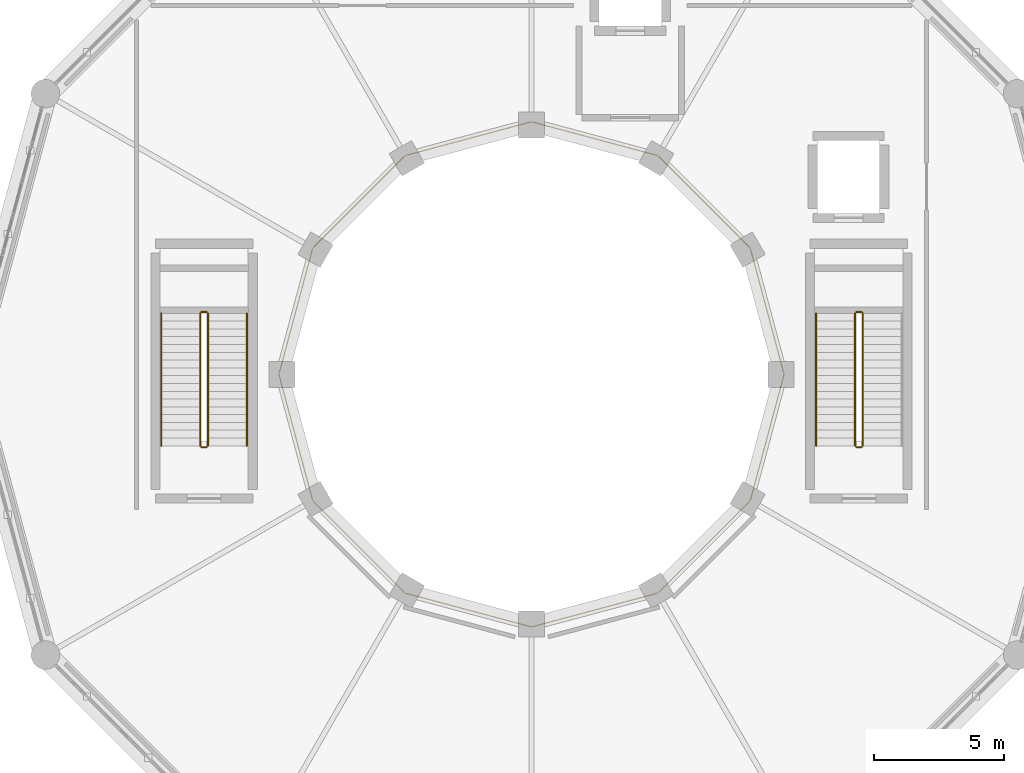
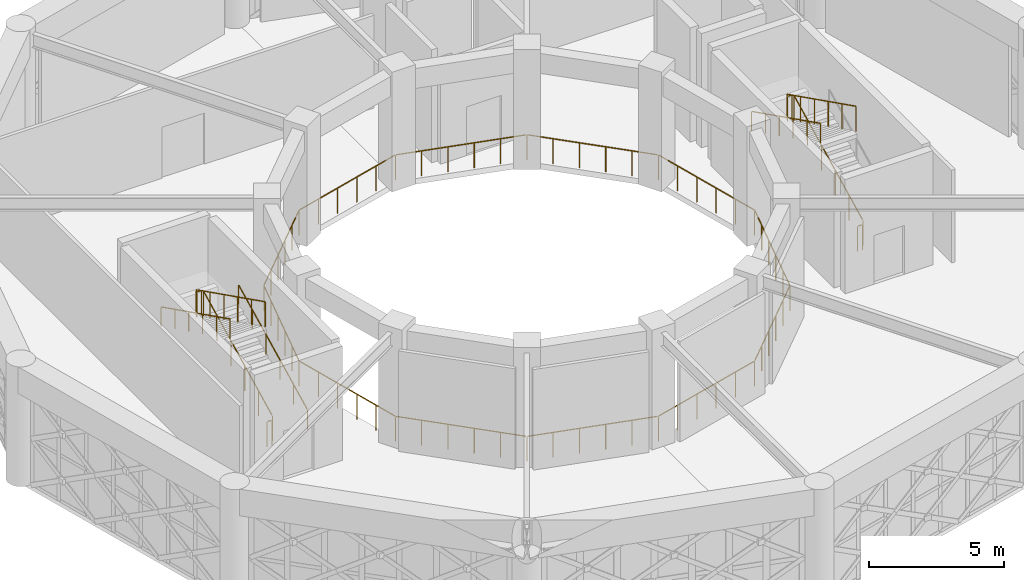
# One storey, part 71 of 72: 12 railings.
"""IFC4 building model written with IfcOpenShell, lengths in metres."""

from ifc_helpers import new_model, si_unit, direction, frame, origin, origin_2d, place, context, subcontext, project, spatial, circle, extrude, material, type_object, element, save


model = new_model("IFC4")

# Units and contexts
model_context = context("Model", 3, precision=1e-05, world=origin(), true_north=direction((0.0, 1.0)))
body_context = subcontext(model_context, "Body", "Model", "MODEL_VIEW")
ifc_project = project(units=[si_unit("LENGTHUNIT", "METRE"), si_unit("AREAUNIT", "SQUARE_METRE"), si_unit("VOLUMEUNIT", "CUBIC_METRE"), si_unit("PLANEANGLEUNIT", "RADIAN"), si_unit("MASSUNIT", "GRAM", prefix="KILO")], contexts=[model_context])

# Site, building, storey
site_placement = place(None, origin())
site = spatial("IfcSite", under=ifc_project, at=site_placement, CompositionType="ELEMENT")
building_placement = place(site_placement, origin())
building = spatial("IfcBuilding", under=site, at=building_placement, Name="Haizhuo Lancet Aquarium", CompositionType="ELEMENT")
storey_placement = place(building_placement, frame((0.0, 0.0, 21.60009765625)))
storey = spatial("IfcBuildingStorey", under=building, at=storey_placement, Name="L04", CompositionType="ELEMENT", Elevation=21.60009765625)

# Railings
ifc_material = material(Name="Steel S355", Category="steel")
railing_type_1 = type_object("IfcRailingType", Name="RL-GRD-1150", PredefinedType="GUARDRAIL", material=ifc_material)
railing_1_placement = place(storey_placement, frame((-12.449951171875, -2.75, 0.14990234375)))
element("IfcRailing", 1, at=railing_1_placement, inside=storey, type_object=railing_type_1, Name="L04 ST-01 stair guard 1", PredefinedType="GUARDRAIL", context=body_context, shape_type="SweptSolid", body=[
    extrude(circle(Radius=0.02392578125, at=origin_2d()), frame((0.0, 0.02685546875, 1.13916015625), z_axis=(0.0, 0.894427191, 0.4472135955), x_axis=(-1.0, 0.0, 0.0)), (0.0, 0.0, 1.0), 5.64208984375),
    extrude(circle(Radius=0.02099609375, at=origin_2d()), origin(), (0.0, 0.0, 1.0), 1.097900390625),
    extrude(circle(Radius=0.02099609375, at=origin_2d()), frame((0.0, 1.02001953125, 0.510009765625)), (0.0, 0.0, 1.0), 1.097900390625),
    extrude(circle(Radius=0.02099609375, at=origin_2d()), frame((0.0, 2.0400390625, 1.02001953125)), (0.0, 0.0, 1.0), 1.097900390625),
    extrude(circle(Radius=0.02099609375, at=origin_2d()), frame((0.0, 3.06005859375, 1.530029296875)), (0.0, 0.0, 1.0), 1.097900390625),
    extrude(circle(Radius=0.02099609375, at=origin_2d()), frame((0.0, 4.080078125, 2.0400390625)), (0.0, 0.0, 1.0), 1.097900390625),
    extrude(circle(Radius=0.02099609375, at=origin_2d()), frame((0.0, 5.10009765625, 2.550048828125)), (0.0, 0.0, 1.0), 1.097900390625),
])
railing_2_placement = place(storey_placement, frame((-12.5, 2.39990234375, 2.699951171875)))
element("IfcRailing", 2, at=railing_2_placement, inside=storey, type_object=railing_type_1, Name="L04 ST-01 stair guard 2", PredefinedType="GUARDRAIL", context=body_context, shape_type="SweptSolid", body=[
    extrude(circle(Radius=0.02392578125, at=origin_2d()), frame((-0.030029296875, 0.0, 1.1259765625), z_axis=(-1.0, 0.0, 0.0), x_axis=(0.0, -1.0, 0.0)), (0.0, 0.0, 1.0), 0.139892578125),
    extrude(circle(Radius=0.02099609375, at=origin_2d()), origin(), (0.0, 0.0, 1.0), 1.097900390625),
    extrude(circle(Radius=0.02099609375, at=origin_2d()), frame((-0.199951171875, 0.0, 0.0)), (0.0, 0.0, 1.0), 1.097900390625),
])
railing_3_placement = place(storey_placement, frame((-12.75, 2.35009765625, 2.849853515625)))
element("IfcRailing", 3, at=railing_3_placement, inside=storey, type_object=railing_type_1, Name="L04 ST-01 stair guard 3", PredefinedType="GUARDRAIL", context=body_context, shape_type="SweptSolid", body=[
    extrude(circle(Radius=0.02392578125, at=origin_2d()), frame((0.0, -0.02685546875, 1.13916015625), z_axis=(0.0, -0.894427191, 0.4472135955), x_axis=(1.0, 0.0, 0.0)), (0.0, 0.0, 1.0), 5.64208984375),
    extrude(circle(Radius=0.02099609375, at=origin_2d()), origin(), (0.0, 0.0, 1.0), 1.097900390625),
    extrude(circle(Radius=0.02099609375, at=origin_2d()), frame((0.0, -1.02001953125, 0.510009765625)), (0.0, 0.0, 1.0), 1.097900390625),
    extrude(circle(Radius=0.02099609375, at=origin_2d()), frame((0.0, -2.0400390625, 1.02001953125)), (0.0, 0.0, 1.0), 1.097900390625),
    extrude(circle(Radius=0.02099609375, at=origin_2d()), frame((0.0, -3.06005859375, 1.530029296875)), (0.0, 0.0, 1.0), 1.097900390625),
    extrude(circle(Radius=0.02099609375, at=origin_2d()), frame((0.0, -4.080078125, 2.0400390625)), (0.0, 0.0, 1.0), 1.097900390625),
    extrude(circle(Radius=0.02099609375, at=origin_2d()), frame((0.0, -5.10009765625, 2.550048828125)), (0.0, 0.0, 1.0), 1.097900390625),
])
railing_4_placement = place(storey_placement, frame((-12.5, -2.800048828125, 0.0)))
element("IfcRailing", 4, at=railing_4_placement, inside=storey, type_object=railing_type_1, Name="L04 ST-01 stair guard 4", PredefinedType="GUARDRAIL", context=body_context, shape_type="SweptSolid", body=[
    extrude(circle(Radius=0.02392578125, at=origin_2d()), frame((-0.030029296875, 0.0, 1.1259765625), z_axis=(-1.0, 0.0, 0.0), x_axis=(0.0, -1.0, 0.0)), (0.0, 0.0, 1.0), 0.139892578125),
    extrude(circle(Radius=0.02099609375, at=origin_2d()), origin(), (0.0, 0.0, 1.0), 1.097900390625),
    extrude(circle(Radius=0.02099609375, at=origin_2d()), frame((-0.199951171875, 0.0, 0.0)), (0.0, 0.0, 1.0), 1.097900390625),
])
railing_5_placement = place(storey_placement, frame((12.75, -2.75, 0.14990234375)))
element("IfcRailing", 5, at=railing_5_placement, inside=storey, type_object=railing_type_1, Name="L04 ST-02 stair guard 1", PredefinedType="GUARDRAIL", context=body_context, shape_type="SweptSolid", body=[
    extrude(circle(Radius=0.02392578125, at=origin_2d()), frame((0.0, 0.02685546875, 1.13916015625), z_axis=(0.0, 0.894427191, 0.4472135955), x_axis=(-1.0, 0.0, 0.0)), (0.0, 0.0, 1.0), 5.64208984375),
    extrude(circle(Radius=0.02099609375, at=origin_2d()), origin(), (0.0, 0.0, 1.0), 1.097900390625),
    extrude(circle(Radius=0.02099609375, at=origin_2d()), frame((0.0, 1.02001953125, 0.510009765625)), (0.0, 0.0, 1.0), 1.097900390625),
    extrude(circle(Radius=0.02099609375, at=origin_2d()), frame((0.0, 2.0400390625, 1.02001953125)), (0.0, 0.0, 1.0), 1.097900390625),
    extrude(circle(Radius=0.02099609375, at=origin_2d()), frame((0.0, 3.06005859375, 1.530029296875)), (0.0, 0.0, 1.0), 1.097900390625),
    extrude(circle(Radius=0.02099609375, at=origin_2d()), frame((0.0, 4.080078125, 2.0400390625)), (0.0, 0.0, 1.0), 1.097900390625),
    extrude(circle(Radius=0.02099609375, at=origin_2d()), frame((0.0, 5.10009765625, 2.550048828125)), (0.0, 0.0, 1.0), 1.097900390625),
])
railing_6_placement = place(storey_placement, frame((12.699951171875, 2.39990234375, 2.699951171875)))
element("IfcRailing", 6, at=railing_6_placement, inside=storey, type_object=railing_type_1, Name="L04 ST-02 stair guard 2", PredefinedType="GUARDRAIL", context=body_context, shape_type="SweptSolid", body=[
    extrude(circle(Radius=0.02392578125, at=origin_2d()), frame((-0.030029296875, 0.0, 1.1259765625), z_axis=(-1.0, 0.0, 0.0), x_axis=(0.0, -1.0, 0.0)), (0.0, 0.0, 1.0), 0.139892578125),
    extrude(circle(Radius=0.02099609375, at=origin_2d()), origin(), (0.0, 0.0, 1.0), 1.097900390625),
    extrude(circle(Radius=0.02099609375, at=origin_2d()), frame((-0.199951171875, 0.0, 0.0)), (0.0, 0.0, 1.0), 1.097900390625),
])
railing_7_placement = place(storey_placement, frame((12.449951171875, 2.35009765625, 2.849853515625)))
element("IfcRailing", 7, at=railing_7_placement, inside=storey, type_object=railing_type_1, Name="L04 ST-02 stair guard 3", PredefinedType="GUARDRAIL", context=body_context, shape_type="SweptSolid", body=[
    extrude(circle(Radius=0.02392578125, at=origin_2d()), frame((0.0, -0.02685546875, 1.13916015625), z_axis=(0.0, -0.894427191, 0.4472135955), x_axis=(1.0, 0.0, 0.0)), (0.0, 0.0, 1.0), 5.64208984375),
    extrude(circle(Radius=0.02099609375, at=origin_2d()), origin(), (0.0, 0.0, 1.0), 1.097900390625),
    extrude(circle(Radius=0.02099609375, at=origin_2d()), frame((0.0, -1.02001953125, 0.510009765625)), (0.0, 0.0, 1.0), 1.097900390625),
    extrude(circle(Radius=0.02099609375, at=origin_2d()), frame((0.0, -2.0400390625, 1.02001953125)), (0.0, 0.0, 1.0), 1.097900390625),
    extrude(circle(Radius=0.02099609375, at=origin_2d()), frame((0.0, -3.06005859375, 1.530029296875)), (0.0, 0.0, 1.0), 1.097900390625),
    extrude(circle(Radius=0.02099609375, at=origin_2d()), frame((0.0, -4.080078125, 2.0400390625)), (0.0, 0.0, 1.0), 1.097900390625),
    extrude(circle(Radius=0.02099609375, at=origin_2d()), frame((0.0, -5.10009765625, 2.550048828125)), (0.0, 0.0, 1.0), 1.097900390625),
])
railing_8_placement = place(storey_placement, frame((12.699951171875, -2.800048828125, 0.0)))
element("IfcRailing", 8, at=railing_8_placement, inside=storey, type_object=railing_type_1, Name="L04 ST-02 stair guard 4", PredefinedType="GUARDRAIL", context=body_context, shape_type="SweptSolid", body=[
    extrude(circle(Radius=0.02392578125, at=origin_2d()), frame((-0.030029296875, 0.0, 1.1259765625), z_axis=(-1.0, 0.0, 0.0), x_axis=(0.0, -1.0, 0.0)), (0.0, 0.0, 1.0), 0.139892578125),
    extrude(circle(Radius=0.02099609375, at=origin_2d()), origin(), (0.0, 0.0, 1.0), 1.097900390625),
    extrude(circle(Radius=0.02099609375, at=origin_2d()), frame((-0.199951171875, 0.0, 0.0)), (0.0, 0.0, 1.0), 1.097900390625),
])
railing_9_placement = place(storey_placement, frame((9.719970703125, 0.0, 0.0)))
element("IfcRailing", 9, at=railing_9_placement, inside=storey, type_object=railing_type_1, Name="L04 Ocean Tank overlook guardrail", PredefinedType="GUARDRAIL", context=body_context, shape_type="SweptSolid", body=[
    extrude(circle(Radius=0.02392578125, at=origin_2d()), frame((-0.0078125, 0.029052734375, 1.1259765625), z_axis=(-0.258770849216, 0.965938739049, 0.0), x_axis=(-0.965938739049, -0.258770849216, 0.0)), (0.0, 0.0, 1.0), 4.971435546875),
    extrude(circle(Radius=0.02392578125, at=origin_2d()), frame((-1.3232421875, 4.88134765625, 1.1259765625), z_axis=(-0.707106781187, 0.707106781187, 0.0), x_axis=(-0.707106781187, -0.707106781187, 0.0)), (0.0, 0.0, 1.0), 4.9716796875),
    extrude(circle(Radius=0.02392578125, at=origin_2d()), frame((-4.888916015625, 8.42578125, 1.1259765625), z_axis=(-0.965938739049, 0.258770849216, 0.0), x_axis=(-0.258770849216, -0.965938739049, 0.0)), (0.0, 0.0, 1.0), 4.971435546875),
    extrude(circle(Radius=0.02392578125, at=origin_2d()), frame((-9.7490234375, 9.712158203125, 1.1259765625), z_axis=(-0.965938739049, -0.258770849216, 0.0), x_axis=(0.258770849216, -0.965938739049, 0.0)), (0.0, 0.0, 1.0), 4.971435546875),
    extrude(circle(Radius=0.02392578125, at=origin_2d()), frame((-14.601318359375, 8.396728515625, 1.1259765625), z_axis=(-0.707106781187, -0.707106781187, 0.0), x_axis=(0.707106781187, -0.707106781187, 0.0)), (0.0, 0.0, 1.0), 4.9716796875),
    extrude(circle(Radius=0.02392578125, at=origin_2d()), frame((-18.145751953125, 4.8310546875, 1.1259765625), z_axis=(-0.258770849216, -0.965938739049, 0.0), x_axis=(0.965938739049, -0.258770849216, 0.0)), (0.0, 0.0, 1.0), 4.971435546875),
    extrude(circle(Radius=0.02392578125, at=origin_2d()), frame((-19.43212890625, -0.029052734375, 1.1259765625), z_axis=(0.258770849216, -0.965938739049, 0.0), x_axis=(0.965938739049, 0.258770849216, 0.0)), (0.0, 0.0, 1.0), 4.971435546875),
    extrude(circle(Radius=0.02392578125, at=origin_2d()), frame((-18.11669921875, -4.88134765625, 1.1259765625), z_axis=(0.707106781187, -0.707106781187, 0.0), x_axis=(0.707106781187, 0.707106781187, 0.0)), (0.0, 0.0, 1.0), 4.9716796875),
    extrude(circle(Radius=0.02392578125, at=origin_2d()), frame((-14.551025390625, -8.42578125, 1.1259765625), z_axis=(0.965938739049, -0.258770849216, 0.0), x_axis=(0.258770849216, 0.965938739049, 0.0)), (0.0, 0.0, 1.0), 4.971435546875),
    extrude(circle(Radius=0.02392578125, at=origin_2d()), frame((-9.69091796875, -9.712158203125, 1.1259765625), z_axis=(0.965938739049, 0.258770849216, 0.0), x_axis=(-0.258770849216, 0.965938739049, 0.0)), (0.0, 0.0, 1.0), 4.971435546875),
    extrude(circle(Radius=0.02392578125, at=origin_2d()), frame((-4.838623046875, -8.396728515625, 1.1259765625), z_axis=(0.707106781187, 0.707106781187, 0.0), x_axis=(-0.707106781187, 0.707106781187, 0.0)), (0.0, 0.0, 1.0), 4.9716796875),
    extrude(circle(Radius=0.02392578125, at=origin_2d()), frame((-1.294189453125, -4.8310546875, 1.1259765625), z_axis=(0.258770849216, 0.965938739049, 0.0), x_axis=(-0.965938739049, 0.258770849216, 0.0)), (0.0, 0.0, 1.0), 4.971435546875),
    extrude(circle(Radius=0.02099609375, at=origin_2d()), origin(), (0.0, 0.0, 1.0), 1.097900390625),
    extrude(circle(Radius=0.02099609375, at=origin_2d()), frame((-0.260498046875, 0.971923828125, 0.0)), (0.0, 0.0, 1.0), 1.097900390625),
    extrude(circle(Radius=0.02099609375, at=origin_2d()), frame((-0.520751953125, 1.944091796875, 0.0)), (0.0, 0.0, 1.0), 1.097900390625),
    extrude(circle(Radius=0.02099609375, at=origin_2d()), frame((-0.78125, 2.916015625, 0.0)), (0.0, 0.0, 1.0), 1.097900390625),
    extrude(circle(Radius=0.02099609375, at=origin_2d()), frame((-1.04150390625, 3.88818359375, 0.0)), (0.0, 0.0, 1.0), 1.097900390625),
    extrude(circle(Radius=0.02099609375, at=origin_2d()), frame((-1.302001953125, 4.860107421875, 0.0)), (0.0, 0.0, 1.0), 1.097900390625),
    extrude(circle(Radius=0.02099609375, at=origin_2d()), frame((-2.013671875, 5.57177734375, 0.0)), (0.0, 0.0, 1.0), 1.097900390625),
    extrude(circle(Radius=0.02099609375, at=origin_2d()), frame((-2.72509765625, 6.283203125, 0.0)), (0.0, 0.0, 1.0), 1.097900390625),
    extrude(circle(Radius=0.02099609375, at=origin_2d()), frame((-3.436767578125, 6.994873046875, 0.0)), (0.0, 0.0, 1.0), 1.097900390625),
    extrude(circle(Radius=0.02099609375, at=origin_2d()), frame((-4.148193359375, 7.706298828125, 0.0)), (0.0, 0.0, 1.0), 1.097900390625),
    extrude(circle(Radius=0.02099609375, at=origin_2d()), frame((-4.85986328125, 8.41796875, 0.0)), (0.0, 0.0, 1.0), 1.097900390625),
    extrude(circle(Radius=0.02099609375, at=origin_2d()), frame((-5.831787109375, 8.678466796875, 0.0)), (0.0, 0.0, 1.0), 1.097900390625),
    extrude(circle(Radius=0.02099609375, at=origin_2d()), frame((-6.803955078125, 8.938720703125, 0.0)), (0.0, 0.0, 1.0), 1.097900390625),
    extrude(circle(Radius=0.02099609375, at=origin_2d()), frame((-7.77587890625, 9.19921875, 0.0)), (0.0, 0.0, 1.0), 1.097900390625),
    extrude(circle(Radius=0.02099609375, at=origin_2d()), frame((-8.748046875, 9.45947265625, 0.0)), (0.0, 0.0, 1.0), 1.097900390625),
    extrude(circle(Radius=0.02099609375, at=origin_2d()), frame((-9.719970703125, 9.719970703125, 0.0)), (0.0, 0.0, 1.0), 1.097900390625),
    extrude(circle(Radius=0.02099609375, at=origin_2d()), frame((-10.69189453125, 9.45947265625, 0.0)), (0.0, 0.0, 1.0), 1.097900390625),
    extrude(circle(Radius=0.02099609375, at=origin_2d()), frame((-11.6640625, 9.19921875, 0.0)), (0.0, 0.0, 1.0), 1.097900390625),
    extrude(circle(Radius=0.02099609375, at=origin_2d()), frame((-12.635986328125, 8.938720703125, 0.0)), (0.0, 0.0, 1.0), 1.097900390625),
    extrude(circle(Radius=0.02099609375, at=origin_2d()), frame((-13.608154296875, 8.678466796875, 0.0)), (0.0, 0.0, 1.0), 1.097900390625),
    extrude(circle(Radius=0.02099609375, at=origin_2d()), frame((-14.580078125, 8.41796875, 0.0)), (0.0, 0.0, 1.0), 1.097900390625),
    extrude(circle(Radius=0.02099609375, at=origin_2d()), frame((-15.291748046875, 7.706298828125, 0.0)), (0.0, 0.0, 1.0), 1.097900390625),
    extrude(circle(Radius=0.02099609375, at=origin_2d()), frame((-16.003173828125, 6.994873046875, 0.0)), (0.0, 0.0, 1.0), 1.097900390625),
    extrude(circle(Radius=0.02099609375, at=origin_2d()), frame((-16.71484375, 6.283203125, 0.0)), (0.0, 0.0, 1.0), 1.097900390625),
    extrude(circle(Radius=0.02099609375, at=origin_2d()), frame((-17.42626953125, 5.57177734375, 0.0)), (0.0, 0.0, 1.0), 1.097900390625),
    extrude(circle(Radius=0.02099609375, at=origin_2d()), frame((-18.137939453125, 4.860107421875, 0.0)), (0.0, 0.0, 1.0), 1.097900390625),
    extrude(circle(Radius=0.02099609375, at=origin_2d()), frame((-18.3984375, 3.88818359375, 0.0)), (0.0, 0.0, 1.0), 1.097900390625),
    extrude(circle(Radius=0.02099609375, at=origin_2d()), frame((-18.65869140625, 2.916015625, 0.0)), (0.0, 0.0, 1.0), 1.097900390625),
    extrude(circle(Radius=0.02099609375, at=origin_2d()), frame((-18.919189453125, 1.944091796875, 0.0)), (0.0, 0.0, 1.0), 1.097900390625),
    extrude(circle(Radius=0.02099609375, at=origin_2d()), frame((-19.179443359375, 0.971923828125, 0.0)), (0.0, 0.0, 1.0), 1.097900390625),
    extrude(circle(Radius=0.02099609375, at=origin_2d()), frame((-19.43994140625, 0.0, 0.0)), (0.0, 0.0, 1.0), 1.097900390625),
    extrude(circle(Radius=0.02099609375, at=origin_2d()), frame((-19.179443359375, -0.971923828125, 0.0)), (0.0, 0.0, 1.0), 1.097900390625),
    extrude(circle(Radius=0.02099609375, at=origin_2d()), frame((-18.919189453125, -1.944091796875, 0.0)), (0.0, 0.0, 1.0), 1.097900390625),
    extrude(circle(Radius=0.02099609375, at=origin_2d()), frame((-18.65869140625, -2.916015625, 0.0)), (0.0, 0.0, 1.0), 1.097900390625),
    extrude(circle(Radius=0.02099609375, at=origin_2d()), frame((-18.3984375, -3.88818359375, 0.0)), (0.0, 0.0, 1.0), 1.097900390625),
    extrude(circle(Radius=0.02099609375, at=origin_2d()), frame((-18.137939453125, -4.860107421875, 0.0)), (0.0, 0.0, 1.0), 1.097900390625),
    extrude(circle(Radius=0.02099609375, at=origin_2d()), frame((-17.42626953125, -5.57177734375, 0.0)), (0.0, 0.0, 1.0), 1.097900390625),
    extrude(circle(Radius=0.02099609375, at=origin_2d()), frame((-16.71484375, -6.283203125, 0.0)), (0.0, 0.0, 1.0), 1.097900390625),
    extrude(circle(Radius=0.02099609375, at=origin_2d()), frame((-16.003173828125, -6.994873046875, 0.0)), (0.0, 0.0, 1.0), 1.097900390625),
    extrude(circle(Radius=0.02099609375, at=origin_2d()), frame((-15.291748046875, -7.706298828125, 0.0)), (0.0, 0.0, 1.0), 1.097900390625),
    extrude(circle(Radius=0.02099609375, at=origin_2d()), frame((-14.580078125, -8.41796875, 0.0)), (0.0, 0.0, 1.0), 1.097900390625),
    extrude(circle(Radius=0.02099609375, at=origin_2d()), frame((-13.608154296875, -8.678466796875, 0.0)), (0.0, 0.0, 1.0), 1.097900390625),
    extrude(circle(Radius=0.02099609375, at=origin_2d()), frame((-12.635986328125, -8.938720703125, 0.0)), (0.0, 0.0, 1.0), 1.097900390625),
    extrude(circle(Radius=0.02099609375, at=origin_2d()), frame((-11.6640625, -9.19921875, 0.0)), (0.0, 0.0, 1.0), 1.097900390625),
    extrude(circle(Radius=0.02099609375, at=origin_2d()), frame((-10.69189453125, -9.45947265625, 0.0)), (0.0, 0.0, 1.0), 1.097900390625),
    extrude(circle(Radius=0.02099609375, at=origin_2d()), frame((-9.719970703125, -9.719970703125, 0.0)), (0.0, 0.0, 1.0), 1.097900390625),
    extrude(circle(Radius=0.02099609375, at=origin_2d()), frame((-8.748046875, -9.45947265625, 0.0)), (0.0, 0.0, 1.0), 1.097900390625),
    extrude(circle(Radius=0.02099609375, at=origin_2d()), frame((-7.77587890625, -9.19921875, 0.0)), (0.0, 0.0, 1.0), 1.097900390625),
    extrude(circle(Radius=0.02099609375, at=origin_2d()), frame((-6.803955078125, -8.938720703125, 0.0)), (0.0, 0.0, 1.0), 1.097900390625),
    extrude(circle(Radius=0.02099609375, at=origin_2d()), frame((-5.831787109375, -8.678466796875, 0.0)), (0.0, 0.0, 1.0), 1.097900390625),
    extrude(circle(Radius=0.02099609375, at=origin_2d()), frame((-4.85986328125, -8.41796875, 0.0)), (0.0, 0.0, 1.0), 1.097900390625),
    extrude(circle(Radius=0.02099609375, at=origin_2d()), frame((-4.148193359375, -7.706298828125, 0.0)), (0.0, 0.0, 1.0), 1.097900390625),
    extrude(circle(Radius=0.02099609375, at=origin_2d()), frame((-3.436767578125, -6.994873046875, 0.0)), (0.0, 0.0, 1.0), 1.097900390625),
    extrude(circle(Radius=0.02099609375, at=origin_2d()), frame((-2.72509765625, -6.283203125, 0.0)), (0.0, 0.0, 1.0), 1.097900390625),
    extrude(circle(Radius=0.02099609375, at=origin_2d()), frame((-2.013671875, -5.57177734375, 0.0)), (0.0, 0.0, 1.0), 1.097900390625),
    extrude(circle(Radius=0.02099609375, at=origin_2d()), frame((-1.302001953125, -4.860107421875, 0.0)), (0.0, 0.0, 1.0), 1.097900390625),
    extrude(circle(Radius=0.02099609375, at=origin_2d()), frame((-1.04150390625, -3.88818359375, 0.0)), (0.0, 0.0, 1.0), 1.097900390625),
    extrude(circle(Radius=0.02099609375, at=origin_2d()), frame((-0.78125, -2.916015625, 0.0)), (0.0, 0.0, 1.0), 1.097900390625),
    extrude(circle(Radius=0.02099609375, at=origin_2d()), frame((-0.520751953125, -1.944091796875, 0.0)), (0.0, 0.0, 1.0), 1.097900390625),
    extrude(circle(Radius=0.02099609375, at=origin_2d()), frame((-0.260498046875, -0.971923828125, 0.0)), (0.0, 0.0, 1.0), 1.097900390625),
])
railing_type_2 = type_object("IfcRailingType", Name="RL-HDR-900", PredefinedType="HANDRAIL", material=ifc_material)
railing_10_placement = place(storey_placement, frame((-10.949951171875, -2.75, 0.14990234375)))
element("IfcRailing", 10, at=railing_10_placement, inside=storey, type_object=railing_type_2, Name="L04 ST-01 pitch handrail 1", PredefinedType="HANDRAIL", context=body_context, shape_type="SweptSolid", body=[
    extrude(circle(Radius=0.02392578125, at=origin_2d()), frame((0.0, 0.02685546875, 0.88916015625), z_axis=(0.0, 0.894427191, 0.4472135955), x_axis=(-1.0, 0.0, 0.0)), (0.0, 0.0, 1.0), 5.64208984375),
    extrude(circle(Radius=0.02099609375, at=origin_2d()), origin(), (0.0, 0.0, 1.0), 0.847900390625),
    extrude(circle(Radius=0.02099609375, at=origin_2d()), frame((0.0, 1.02001953125, 0.510009765625)), (0.0, 0.0, 1.0), 0.847900390625),
    extrude(circle(Radius=0.02099609375, at=origin_2d()), frame((0.0, 2.0400390625, 1.02001953125)), (0.0, 0.0, 1.0), 0.847900390625),
    extrude(circle(Radius=0.02099609375, at=origin_2d()), frame((0.0, 3.06005859375, 1.530029296875)), (0.0, 0.0, 1.0), 0.847900390625),
    extrude(circle(Radius=0.02099609375, at=origin_2d()), frame((0.0, 4.080078125, 2.0400390625)), (0.0, 0.0, 1.0), 0.847900390625),
    extrude(circle(Radius=0.02099609375, at=origin_2d()), frame((0.0, 5.10009765625, 2.550048828125)), (0.0, 0.0, 1.0), 0.847900390625),
])
for number, where, name in (
    (11, (-14.25, 2.35009765625, 2.849853515625), "L04 ST-01 pitch handrail 2"),
    (12, (10.949951171875, 2.35009765625, 2.849853515625), "L04 ST-02 pitch handrail 2"),
):
    element("IfcRailing", number, at=place(storey_placement, frame(where)), inside=storey, type_object=railing_type_2, Name=name, PredefinedType="HANDRAIL", context=body_context, shape_type="SweptSolid", body=[
        extrude(circle(Radius=0.02392578125, at=origin_2d()), frame((0.0, -0.02685546875, 0.88916015625), z_axis=(0.0, -0.894427191, 0.4472135955), x_axis=(1.0, 0.0, 0.0)), (0.0, 0.0, 1.0), 5.64208984375),
        extrude(circle(Radius=0.02099609375, at=origin_2d()), origin(), (0.0, 0.0, 1.0), 0.847900390625),
        extrude(circle(Radius=0.02099609375, at=origin_2d()), frame((0.0, -1.02001953125, 0.510009765625)), (0.0, 0.0, 1.0), 0.847900390625),
        extrude(circle(Radius=0.02099609375, at=origin_2d()), frame((0.0, -2.0400390625, 1.02001953125)), (0.0, 0.0, 1.0), 0.847900390625),
        extrude(circle(Radius=0.02099609375, at=origin_2d()), frame((0.0, -3.06005859375, 1.530029296875)), (0.0, 0.0, 1.0), 0.847900390625),
        extrude(circle(Radius=0.02099609375, at=origin_2d()), frame((0.0, -4.080078125, 2.0400390625)), (0.0, 0.0, 1.0), 0.847900390625),
        extrude(circle(Radius=0.02099609375, at=origin_2d()), frame((0.0, -5.10009765625, 2.550048828125)), (0.0, 0.0, 1.0), 0.847900390625),
    ])

save(model, "model.ifc")
